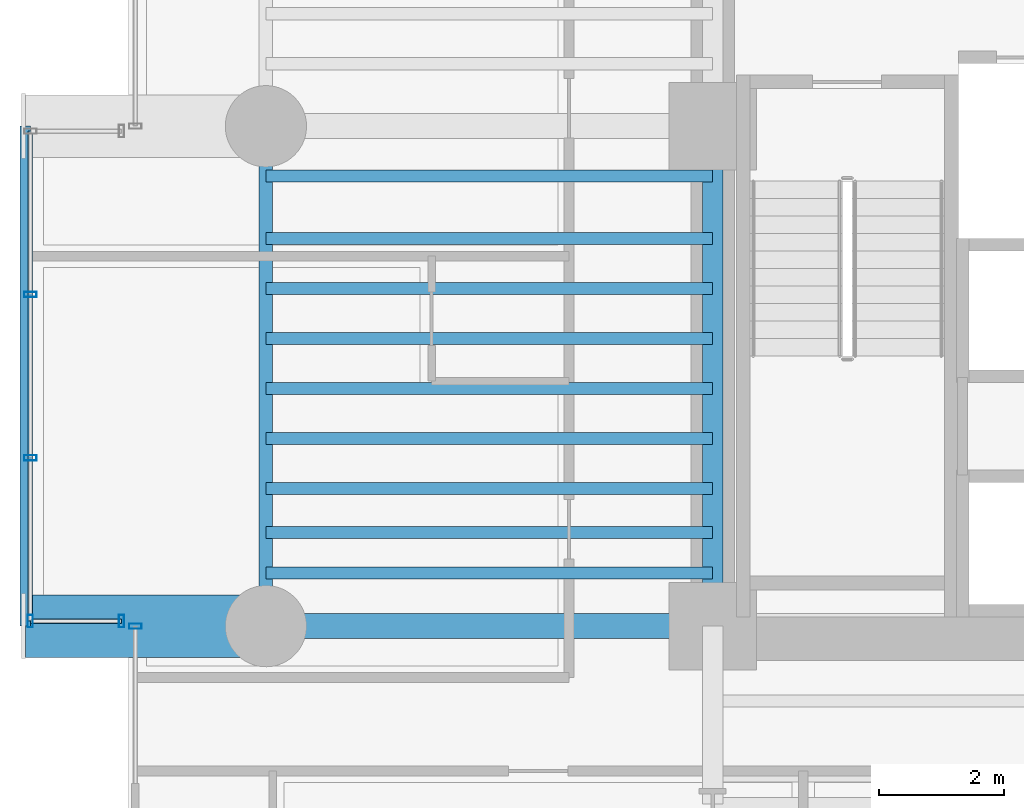
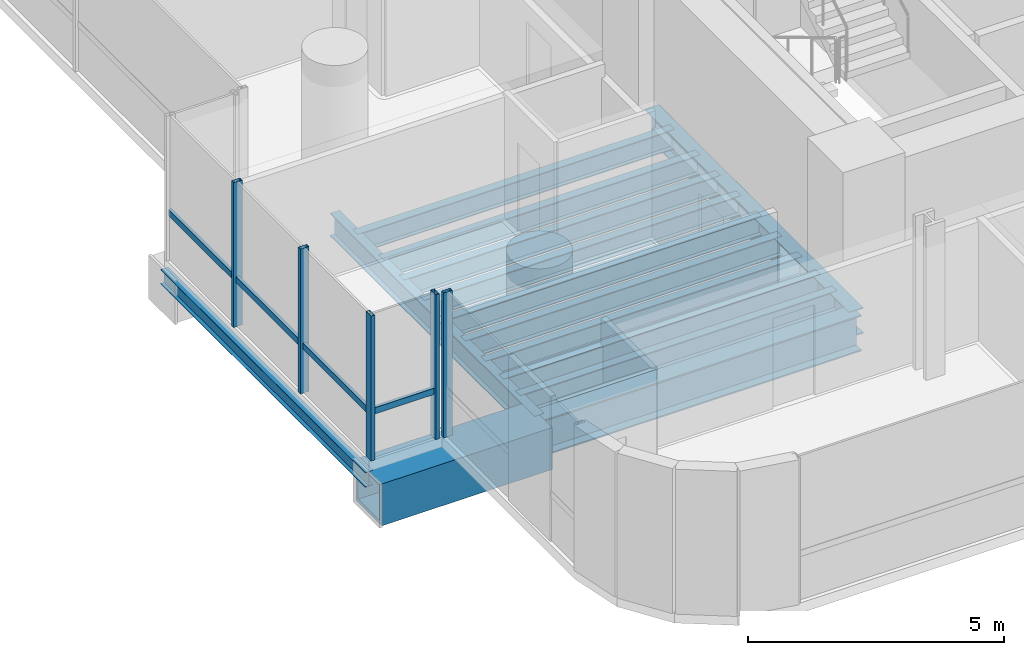
# One storey, part 4 of 42: 14 beams, 7 members, 3 elements without a shape of their own.
"""IFC4 building model written with IfcOpenShell, lengths in metres."""

from ifc_helpers import new_model, si_unit, direction, frame, origin, origin_2d, place, context, subcontext, project, spatial, hollow_rectangle, i_section, extrude, source, transform, mapped, material, material_profile, profile_set, type_object, element, aggregate, save


model = new_model("IFC4")

# Units and contexts
model_context = context("Model", 3, precision=1e-05, world=origin(), true_north=direction((0.0, 1.0)))
body_context = subcontext(model_context, "Body", "Model", "MODEL_VIEW")
ifc_project = project(units=[si_unit("LENGTHUNIT", "METRE"), si_unit("AREAUNIT", "SQUARE_METRE"), si_unit("VOLUMEUNIT", "CUBIC_METRE"), si_unit("PLANEANGLEUNIT", "RADIAN"), si_unit("MASSUNIT", "GRAM", prefix="KILO")], contexts=[model_context])

# Site, building, storey
site_placement = place(None, origin())
site = spatial("IfcSite", under=ifc_project, at=site_placement, CompositionType="ELEMENT")
building_placement = place(site_placement, origin())
building = spatial("IfcBuilding", under=site, at=building_placement, Name="Valdorenza Pilgrim Sanctuary Tower", CompositionType="ELEMENT")
storey_placement = place(building_placement, frame((0.0, 0.0, 29.699951171875)))
storey = spatial("IfcBuildingStorey", under=building, at=storey_placement, Name="L06", CompositionType="ELEMENT", Elevation=29.699951171875)

# Beams
ifc_material_1 = material(Name="Steel ASTM A992 Grade 50", Category="steel")
ifc_material_profile_1 = material_profile(ifc_material_1, i_section(OverallWidth=0.214111328125, OverallDepth=0.549072265625, WebThickness=0.0146484375, FlangeThickness=0.023681640625, at=origin_2d()), Name="W21X93")
ifc_profile_set_1 = profile_set([ifc_material_profile_1], Name="Steel ASTM A992 Grade 50")
beam_type_1 = type_object("IfcBeamType", Name="STR-BM-SPN-W21A", PredefinedType="SPANDREL", material=ifc_profile_set_1)
shared_shape_1 = source(origin(), body_context, "Body", "SweptSolid", [
    extrude(i_section(OverallWidth=0.214111328125, OverallDepth=0.549072265625, WebThickness=0.0146484375, FlangeThickness=0.023681640625, at=origin_2d()), origin(), (0.0, 0.0, 1.0), 8.0),
])
beam_1_placement = place(storey_placement, frame((-29.800048828125, -10.60009765625, -0.514404296875), z_axis=(0.0, 1.0, 0.0), x_axis=(-1.0, 0.0, 0.0)))
element("IfcBeam", 1, at=beam_1_placement, inside=storey, type_object=beam_type_1, Name="L06 Spandrel Beam WA-W-S1M0", PredefinedType="SPANDREL", context=body_context, shape_type="MappedRepresentation", body=[
    mapped(shared_shape_1, transform((0.0, 0.0, 0.0), x_axis=(1.0, 0.0, 0.0), y_axis=(0.0, 1.0, 0.0), z_axis=(0.0, 0.0, 1.0), scale=1.0)),
])
ifc_material_profile_2 = material_profile(ifc_material_1, i_section(OverallWidth=0.323974609375, OverallDepth=0.611083984375, WebThickness=0.0126953125, FlangeThickness=0.01904296875, at=origin_2d()), Name="W24X104")
ifc_profile_set_2 = profile_set([ifc_material_profile_2], Name="Steel ASTM A992 Grade 50")
beam_type_2 = type_object("IfcBeamType", Name="STR-BM-GRD-W24B", PredefinedType="BEAM", material=ifc_profile_set_2)
shared_shape_2 = source(origin(), body_context, "Body", "SweptSolid", [
    extrude(i_section(OverallWidth=0.323974609375, OverallDepth=0.611083984375, WebThickness=0.0126953125, FlangeThickness=0.01904296875, at=origin_2d()), origin(), (0.0, 0.0, 1.0), 8.0),
])
beam_2_placement = place(storey_placement, frame((-22.64990234375, -10.60009765625, -0.54541015625), z_axis=(0.0, 1.0, 0.0), x_axis=(-1.0, 0.0, 0.0)))
element("IfcBeam", 2, at=beam_2_placement, inside=storey, type_object=beam_type_2, Name="L06 Core Tie Girder CA-W-S1M0", PredefinedType="BEAM", context=body_context, shape_type="MappedRepresentation", body=[
    mapped(shared_shape_2, transform((0.0, 0.0, 0.0), x_axis=(1.0, 0.0, 0.0), y_axis=(0.0, 1.0, 0.0), z_axis=(0.0, 0.0, 1.0), scale=1.0)),
])
ifc_material_profile_3 = material_profile(ifc_material_1, i_section(OverallWidth=0.193115234375, OverallDepth=0.466064453125, WebThickness=0.011474609375, FlangeThickness=0.01904296875, at=origin_2d()), Name="W18X65")
ifc_profile_set_3 = profile_set([ifc_material_profile_3], Name="Steel ASTM A992 Grade 50")
beam_type_3 = type_object("IfcBeamType", Name="STR-BM-JST-W18A", PredefinedType="JOIST", material=ifc_profile_set_3)
shared_shape_3 = source(origin(), body_context, "Body", "SweptSolid", [
    extrude(i_section(OverallWidth=0.193115234375, OverallDepth=0.466064453125, WebThickness=0.011474609375, FlangeThickness=0.01904296875, at=origin_2d()), origin(), (0.0, 0.0, 1.0), 7.150146484375),
])
for number, where, z_axis, x_axis, name in (
    (3, (-29.800048828125, -9.75, -0.472900390625), (1.0, 0.0, 0.0), (0.0, 1.0, 0.0), "L06 Composite Floor Joist JST-WA-1"),
    (4, (-29.800048828125, -9.10009765625, -0.472900390625), (1.0, 0.0, 0.0), (0.0, 1.0, 0.0), "L06 Composite Floor Joist JST-WA-2"),
    (5, (-29.800048828125, -8.39990234375, -0.472900390625), (1.0, 0.0, 0.0), (0.0, 1.0, 0.0), "L06 Composite Floor Joist JST-WA-3"),
    (6, (-29.800048828125, -7.60009765625, -0.472900390625), (1.0, 0.0, 0.0), (0.0, 1.0, 0.0), "L06 Composite Floor Joist JST-WA-4"),
    (7, (-29.800048828125, -6.800048828125, -0.472900390625), (1.0, 0.0, 0.0), (0.0, 1.0, 0.0), "L06 Composite Floor Joist JST-WA-5"),
    (8, (-29.800048828125, -6.0, -0.472900390625), (1.0, 0.0, 0.0), (0.0, 1.0, 0.0), "L06 Composite Floor Joist JST-WA-6"),
    (9, (-29.800048828125, -5.199951171875, -0.472900390625), (1.0, 0.0, 0.0), (0.0, 1.0, 0.0), "L06 Composite Floor Joist JST-WA-7"),
    (10, (-29.800048828125, -4.39990234375, -0.472900390625), (1.0, 0.0, 0.0), (0.0, 1.0, 0.0), "L06 Composite Floor Joist JST-WA-8"),
    (11, (-29.800048828125, -3.39990234375, -0.472900390625), (1.0, 0.0, 0.0), (0.0, 1.0, 0.0), "L06 Composite Floor Joist JST-WA-9"),
):
    element("IfcBeam", number, at=place(storey_placement, frame(where, z_axis=z_axis, x_axis=x_axis)), inside=storey, type_object=beam_type_3, Name=name, PredefinedType="JOIST", context=body_context, shape_type="MappedRepresentation", body=[
        mapped(shared_shape_3, transform((0.0, 0.0, 0.0), x_axis=(1.0, 0.0, 0.0), y_axis=(0.0, 1.0, 0.0), z_axis=(0.0, 0.0, 1.0), scale=1.0)),
    ])
ifc_material_2 = material(Name="Steel ASTM A572 Grade 42", Category="steel")
ifc_material_profile_4 = material_profile(ifc_material_2, hollow_rectangle(XDim=1.0, YDim=1.0, WallThickness=0.080078125, at=origin_2d()), Name="BOX 1000x1000x80")
ifc_profile_set_4 = profile_set([ifc_material_profile_4], Name="Steel ASTM A572 Grade 42")
beam_type_4 = type_object("IfcBeamType", Name="STR-BM-PROW-CANT", PredefinedType="BEAM", material=ifc_profile_set_4)
shared_shape_4 = source(origin(), body_context, "Body", "SweptSolid", [
    extrude(hollow_rectangle(XDim=1.0, YDim=1.0, WallThickness=0.080078125, at=origin_2d()), origin(), (0.0, 0.0, 1.0), 3.849853515625),
])
beam_3_placement = place(storey_placement, frame((-29.800048828125, -10.60009765625, -0.739990234375), z_axis=(-1.0, 0.0, 0.0), x_axis=(0.0, -1.0, 0.0)))
element("IfcBeam", 12, at=beam_3_placement, inside=storey, type_object=beam_type_4, Name="L06 Glass Box Cantilever Beam BOX-WA-L06-CT-S", PredefinedType="BEAM", context=body_context, shape_type="MappedRepresentation", body=[
    mapped(shared_shape_4, transform((0.0, 0.0, 0.0), x_axis=(1.0, 0.0, 0.0), y_axis=(0.0, 1.0, 0.0), z_axis=(0.0, 0.0, 1.0), scale=1.0)),
])
ifc_material_profile_5 = material_profile(ifc_material_1, i_section(OverallWidth=0.1708984375, OverallDepth=0.35107421875, WebThickness=0.0068359375, FlangeThickness=0.009765625, at=origin_2d()), Name="W14X30")
ifc_profile_set_5 = profile_set([ifc_material_profile_5], Name="Steel ASTM A992 Grade 50")
beam_type_5 = type_object("IfcBeamType", Name="STR-BM-BOX-W14", PredefinedType="BEAM", material=ifc_profile_set_5)
shared_shape_5 = source(origin(), body_context, "Body", "SweptSolid", [
    extrude(i_section(OverallWidth=0.1708984375, OverallDepth=0.35107421875, WebThickness=0.0068359375, FlangeThickness=0.009765625, at=origin_2d()), origin(), (0.0, 0.0, 1.0), 8.0),
])
beam_4_placement = place(storey_placement, frame((-33.64990234375, -10.60009765625, -0.41552734375), z_axis=(0.0, 1.0, 0.0), x_axis=(-1.0, 0.0, 0.0)))
element("IfcBeam", 13, at=beam_4_placement, inside=storey, type_object=beam_type_5, Name="L06 Glass Box Edge Beam BOX-WA-L06-F", PredefinedType="BEAM", context=body_context, shape_type="MappedRepresentation", body=[
    mapped(shared_shape_5, transform((0.0, 0.0, 0.0), x_axis=(1.0, 0.0, 0.0), y_axis=(0.0, 1.0, 0.0), z_axis=(0.0, 0.0, 1.0), scale=1.0)),
])
ifc_material_profile_6 = material_profile(ifc_material_1, i_section(OverallWidth=0.39990234375, OverallDepth=0.862060546875, WebThickness=0.019775390625, FlangeThickness=0.032470703125, at=origin_2d()), Name="W33X221")
ifc_profile_set_6 = profile_set([ifc_material_profile_6], Name="Steel ASTM A992 Grade 50")
beam_type_6 = type_object("IfcBeamType", Name="STR-BM-GRD-W33", PredefinedType="BEAM", material=ifc_profile_set_6)
shared_shape_6 = source(origin(), body_context, "Body", "SweptSolid", [
    extrude(i_section(OverallWidth=0.39990234375, OverallDepth=0.862060546875, WebThickness=0.019775390625, FlangeThickness=0.032470703125, at=origin_2d()), origin(), (0.0, 0.0, 1.0), 7.150146484375),
])
beam_5_placement = place(storey_placement, frame((-29.800048828125, -10.60009765625, -0.6708984375), z_axis=(1.0, 0.0, 0.0), x_axis=(0.0, 1.0, 0.0)))
element("IfcBeam", 14, at=beam_5_placement, inside=storey, type_object=beam_type_6, Name="L06 Floor Girder WA-XW-S1", PredefinedType="BEAM", context=body_context, shape_type="MappedRepresentation", body=[
    mapped(shared_shape_6, transform((0.0, 0.0, 0.0), x_axis=(1.0, 0.0, 0.0), y_axis=(0.0, 1.0, 0.0), z_axis=(0.0, 0.0, 1.0), scale=1.0)),
])

# Curtain wall, member
ifc_material_3 = material(Name="Curtain-wall IGU glazing", Category="glass")
curtain_wall_type = type_object("IfcCurtainWallType", Name="CW-SYS-02", PredefinedType="NOTDEFINED", material=ifc_material_3)
curtain_wall_1_placement = place(storey_placement, origin())
curtain_wall_1 = element("IfcCurtainWall", 15, at=curtain_wall_1_placement, inside=storey, type_object=curtain_wall_type, Name="L06 Curtain Wall CW-L06-1-1S1", PredefinedType="NOTDEFINED")
ifc_material_4 = material(Name="Anodised aluminium AW-6060", Category="aluminium")
ifc_material_profile_7 = material_profile(ifc_material_4, hollow_rectangle(XDim=0.0849609375, YDim=0.199951171875, WallThickness=0.0048828125, at=origin_2d()), Name="ALU-M 200x85x5")
ifc_profile_set_7 = profile_set([ifc_material_profile_7], Name="Anodised aluminium AW-6060")
member_type_1 = type_object("IfcMemberType", Name="CW-MUL-02", PredefinedType="MULLION", material=ifc_profile_set_7)
shared_shape_7 = source(origin(), body_context, "Body", "SweptSolid", [
    extrude(hollow_rectangle(XDim=0.0849609375, YDim=0.199951171875, WallThickness=0.0048828125, at=origin_2d()), origin(), (0.0, 0.0, 1.0), 3.4599609375),
])
member_1_placement = place(storey_placement, frame((-31.889892578125, -10.60009765625, 0.0), z_axis=(0.0, 0.0, 1.0), x_axis=(0.0, 1.0, 0.0)))
member_1 = element("IfcMember", 16, at=member_1_placement, type_object=member_type_1, Name="CW-L06-1-1S1 Mullion 2", PredefinedType="MULLION", context=body_context, shape_type="MappedRepresentation", body=[
    mapped(shared_shape_7, transform((0.0, 0.0, 0.0), x_axis=(1.0, 0.0, 0.0), y_axis=(0.0, 1.0, 0.0), z_axis=(0.0, 0.0, 1.0), scale=1.0)),
])
aggregate(curtain_wall_1, [member_1])

# Curtain wall, members
curtain_wall_2_placement = place(storey_placement, origin())
curtain_wall_2 = element("IfcCurtainWall", 17, at=curtain_wall_2_placement, inside=storey, type_object=curtain_wall_type, Name="L06 Curtain Wall CW-L06-BOX-WA-L06-S", PredefinedType="NOTDEFINED")
member_2_placement = place(storey_placement, frame((-32.110107421875, -10.52001953125, 0.0), z_axis=(0.0, 0.0, 1.0), x_axis=(-1.0, 0.0, 0.0)))
member_2 = element("IfcMember", 18, at=member_2_placement, type_object=member_type_1, Name="CW-L06-BOX-WA-L06-S Mullion 1", PredefinedType="MULLION", context=body_context, shape_type="MappedRepresentation", body=[
    mapped(shared_shape_7, transform((0.0, 0.0, 0.0), x_axis=(1.0, 0.0, 0.0), y_axis=(0.0, 1.0, 0.0), z_axis=(0.0, 0.0, 1.0), scale=1.0)),
])
member_3_placement = place(storey_placement, frame((-33.570068359375, -10.52001953125, 0.0), z_axis=(0.0, 0.0, 1.0), x_axis=(-1.0, 0.0, 0.0)))
member_3 = element("IfcMember", 19, at=member_3_placement, type_object=member_type_1, Name="CW-L06-BOX-WA-L06-S Mullion 2", PredefinedType="MULLION", context=body_context, shape_type="MappedRepresentation", body=[
    mapped(shared_shape_7, transform((0.0, 0.0, 0.0), x_axis=(1.0, 0.0, 0.0), y_axis=(0.0, 1.0, 0.0), z_axis=(0.0, 0.0, 1.0), scale=1.0)),
])

curtain_wall_3_placement = place(storey_placement, origin())
curtain_wall_3 = element("IfcCurtainWall", 20, at=curtain_wall_3_placement, inside=storey, type_object=curtain_wall_type, Name="L06 Curtain Wall CW-L06-BOX-WA-L06-F", PredefinedType="NOTDEFINED")
member_4_placement = place(storey_placement, frame((-33.570068359375, -7.90673828125, 0.0), z_axis=(0.0, 0.0, 1.0), x_axis=(0.0, 1.0, 0.0)))
member_4 = element("IfcMember", 21, at=member_4_placement, type_object=member_type_1, Name="CW-L06-BOX-WA-L06-F Mullion 2", PredefinedType="MULLION", context=body_context, shape_type="MappedRepresentation", body=[
    mapped(shared_shape_7, transform((0.0, 0.0, 0.0), x_axis=(1.0, 0.0, 0.0), y_axis=(0.0, 1.0, 0.0), z_axis=(0.0, 0.0, 1.0), scale=1.0)),
])
member_5_placement = place(storey_placement, frame((-33.570068359375, -5.293212890625, 0.0), z_axis=(0.0, 0.0, 1.0), x_axis=(0.0, 1.0, 0.0)))
member_5 = element("IfcMember", 22, at=member_5_placement, type_object=member_type_1, Name="CW-L06-BOX-WA-L06-F Mullion 3", PredefinedType="MULLION", context=body_context, shape_type="MappedRepresentation", body=[
    mapped(shared_shape_7, transform((0.0, 0.0, 0.0), x_axis=(1.0, 0.0, 0.0), y_axis=(0.0, 1.0, 0.0), z_axis=(0.0, 0.0, 1.0), scale=1.0)),
])

# Member
ifc_material_profile_8 = material_profile(ifc_material_4, hollow_rectangle(XDim=0.074951171875, YDim=0.14990234375, WallThickness=0.00390625, at=origin_2d()), Name="ALU-T 150x75x4")
ifc_profile_set_8 = profile_set([ifc_material_profile_8], Name="Anodised aluminium AW-6060")
member_type_2 = type_object("IfcMemberType", Name="CW-TRN-02", PredefinedType="USERDEFINED", material=ifc_profile_set_8)
shared_shape_8 = source(origin(), body_context, "Body", "SweptSolid", [
    extrude(hollow_rectangle(XDim=0.074951171875, YDim=0.14990234375, WallThickness=0.00390625, at=origin_2d()), origin(), (0.0, 0.0, 1.0), 1.4599609375),
])
member_6_placement = place(storey_placement, frame((-32.110107421875, -10.52001953125, 1.1201171875), z_axis=(-1.0, 0.0, 0.0), x_axis=(0.0, -1.0, 0.0)))
member_6 = element("IfcMember", 23, at=member_6_placement, type_object=member_type_2, Name="CW-L06-BOX-WA-L06-S Transom 1", ObjectType="TRANSOM", PredefinedType="USERDEFINED", context=body_context, shape_type="MappedRepresentation", body=[
    mapped(shared_shape_8, transform((0.0, 0.0, 0.0), x_axis=(1.0, 0.0, 0.0), y_axis=(0.0, 1.0, 0.0), z_axis=(0.0, 0.0, 1.0), scale=1.0)),
])

aggregate(curtain_wall_2, [member_2, member_3, member_6])

shared_shape_9 = source(origin(), body_context, "Body", "SweptSolid", [
    extrude(hollow_rectangle(XDim=0.074951171875, YDim=0.14990234375, WallThickness=0.00390625, at=origin_2d()), origin(), (0.0, 0.0, 1.0), 7.840087890625),
])
member_7_placement = place(storey_placement, frame((-33.570068359375, -10.52001953125, 1.1201171875), z_axis=(0.0, 1.0, 0.0), x_axis=(-1.0, 0.0, 0.0)))
member_7 = element("IfcMember", 24, at=member_7_placement, type_object=member_type_2, Name="CW-L06-BOX-WA-L06-F Transom 1", ObjectType="TRANSOM", PredefinedType="USERDEFINED", context=body_context, shape_type="MappedRepresentation", body=[
    mapped(shared_shape_9, transform((0.0, 0.0, 0.0), x_axis=(1.0, 0.0, 0.0), y_axis=(0.0, 1.0, 0.0), z_axis=(0.0, 0.0, 1.0), scale=1.0)),
])

aggregate(curtain_wall_3, [member_4, member_5, member_7])

save(model, "model.ifc")
